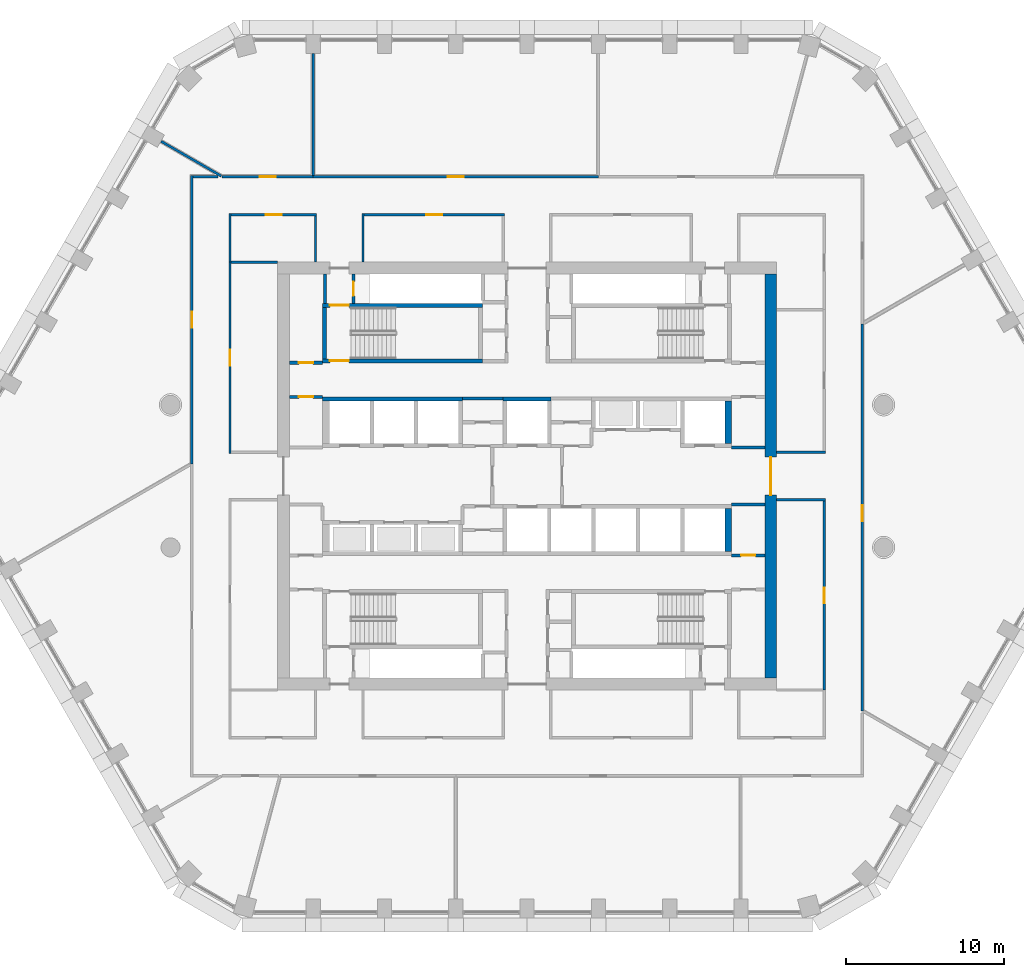
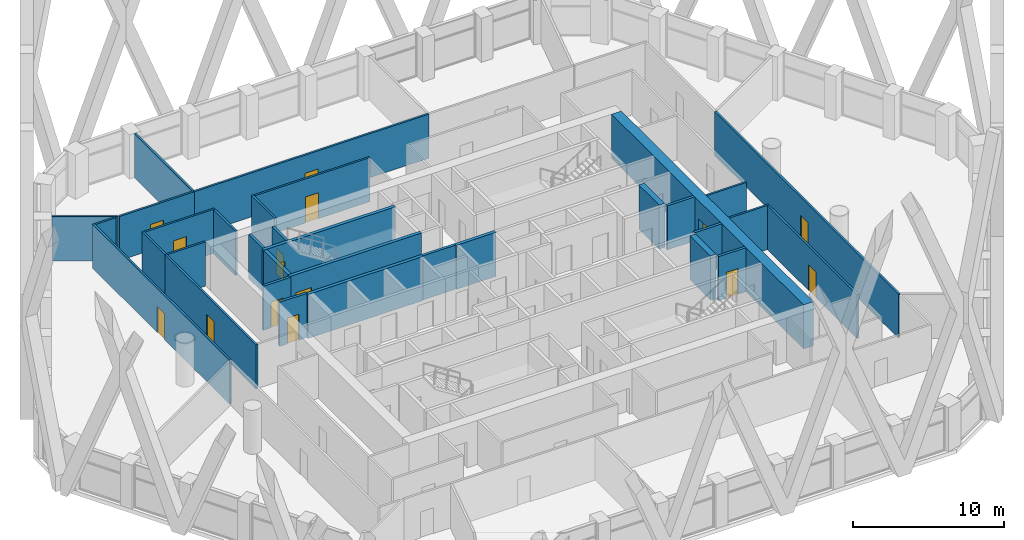
# One storey, part 12 of 24: 33 walls, 15 doors, 15 openings.
"""IFC4 building model written with IfcOpenShell, lengths in metres."""

from ifc_helpers import new_model, si_unit, direction, frame, frame_2d, origin, place, context, subcontext, project, spatial, polyline, rectangle, outline, extrude, material, layer, layer_set, type_object, element, fill, save


model = new_model("IFC4")

# Units and contexts
model_context = context("Model", 3, precision=1e-05, world=origin(), true_north=direction((0.0, 1.0)))
body_context = subcontext(model_context, "Body", "Model", "MODEL_VIEW")
ifc_project = project(units=[si_unit("LENGTHUNIT", "METRE"), si_unit("AREAUNIT", "SQUARE_METRE"), si_unit("VOLUMEUNIT", "CUBIC_METRE"), si_unit("PLANEANGLEUNIT", "RADIAN"), si_unit("MASSUNIT", "GRAM", prefix="KILO")], contexts=[model_context])

# Site, building, storey
site_placement = place(None, origin())
site = spatial("IfcSite", under=ifc_project, at=site_placement, CompositionType="ELEMENT")
building_placement = place(site_placement, origin())
building = spatial("IfcBuilding", under=site, at=building_placement, Name="Dhurran Vertical Campus", CompositionType="ELEMENT")
storey_placement = place(building_placement, frame((0.0, 0.0, 132.60009765625)))
storey = spatial("IfcBuildingStorey", under=building, at=storey_placement, Name="L32", CompositionType="ELEMENT", Elevation=132.60009765625)

# Wall, opening, door
ifc_material_1 = material(Name="Concrete C60/75", Category="concrete")
ifc_layer_1 = layer(ifc_material_1, 0.75)
ifc_layer_set_1 = layer_set([ifc_layer_1], Name="Concrete C60/75")
wall_type_1 = type_object("IfcWallType", Name="co-CORE-WALL-C1-750", PredefinedType="SHEAR", material=ifc_layer_set_1)
wall_1_placement = place(storey_placement, frame((15.375, -12.75, 0.0), z_axis=(0.0, 0.0, 1.0), x_axis=(0.0, 1.0, 0.0)))
wall_1 = element("IfcWall", 1, at=wall_1_placement, inside=storey, type_object=wall_type_1, Name="Core wall E L32", PredefinedType="SHEAR", context=body_context, shape_type="SweptSolid", body=[
    extrude(rectangle(XDim=25.5, YDim=0.75, at=frame_2d((12.75, 0.0))), origin(), (0.0, 0.0, 1.0), 3.574951171875),
])
opening_1_placement = place(wall_1_placement, frame((11.550048828125, 0.0, 0.0)))
opening_1 = element("IfcOpeningElement", 2, at=opening_1_placement, cuts=wall_1, Name="Opening CL2", PredefinedType="OPENING", context=body_context, shape_type="SweptSolid", body=[
    extrude(rectangle(XDim=2.39990234375, YDim=2.10009765625, at=frame_2d((1.199951171875, 1.050048828125))), frame((0.0, 0.385009765625, 0.0), z_axis=(0.0, -1.0, 0.0), x_axis=(1.0, 0.0, 0.0)), (0.0, 0.0, 1.0), 0.77001953125),
])
ifc_material_2 = material(Name="Fire-rated glazed door set")
door_type_1 = type_object("IfcDoorType", Name="co-D-LOBBY 2400x2100", OperationType="DOUBLE_DOOR_DOUBLE_SWING", PredefinedType="DOOR", material=ifc_material_2)
door_1_placement = place(opening_1_placement, origin())
door_1 = element("IfcDoor", 3, at=door_1_placement, inside=storey, type_object=door_type_1, Name="Lift lobby door E L32", OperationType="DOUBLE_DOOR_DOUBLE_SWING", OverallHeight=2.10009765625, OverallWidth=2.39990234375, PredefinedType="DOOR", context=body_context, shape_type="SweptSolid", body=[
    extrude(rectangle(XDim=2.39990234375, YDim=2.10009765625, at=frame_2d((1.199951171875, 1.050048828125))), frame((0.0, 0.02490234375, 0.0), z_axis=(0.0, -1.0, 0.0), x_axis=(1.0, 0.0, 0.0)), (0.0, 0.0, 1.0), 0.050048828125),
])
fill(opening_1, door_1)

# Wall
ifc_material_3 = material(Name="Fire-rated masonry blockwork", Category="masonry")
ifc_layer_2 = layer(ifc_material_3, 0.199951171875)
ifc_layer_set_2 = layer_set([ifc_layer_2], Name="Fire-rated masonry blockwork")
wall_type_2 = type_object("IfcWallType", Name="co-FIRE-PARTITION-200", PredefinedType="PARTITIONING", material=ifc_layer_set_2)
wall_2_placement = place(storey_placement, frame((-12.75, 10.89990234375, 0.0), z_axis=(0.0, 0.0, 1.0), x_axis=(0.0, 1.0, 0.0)))
element("IfcWall", 4, at=wall_2_placement, inside=storey, type_object=wall_type_2, Name="Core partition pass-ST1-o L32", PredefinedType="PARTITIONING", context=body_context, shape_type="SweptSolid", body=[
    extrude(rectangle(XDim=1.85009765625, YDim=0.199951171875, at=frame_2d((0.925048828125, 0.0))), origin(), (0.0, 0.0, 1.0), 3.574951171875),
])

# Wall, opening, door
wall_3_placement = place(storey_placement, frame((-10.949951171875, 10.89990234375, 0.0), z_axis=(0.0, 0.0, 1.0), x_axis=(0.0, 1.0, 0.0)))
wall_3 = element("IfcWall", 5, at=wall_3_placement, inside=storey, type_object=wall_type_2, Name="Core partition pass-ST1-i L32", PredefinedType="PARTITIONING", context=body_context, shape_type="SweptSolid", body=[
    extrude(rectangle(XDim=1.85009765625, YDim=0.199951171875, at=frame_2d((0.925048828125, 0.0))), origin(), (0.0, 0.0, 1.0), 3.574951171875),
])
opening_2_placement = place(wall_3_placement, frame((0.47509765625, 0.0, 0.0)))
opening_2 = element("IfcOpeningElement", 6, at=opening_2_placement, cuts=wall_3, Name="Opening T09-C11", PredefinedType="OPENING", context=body_context, shape_type="SweptSolid", body=[
    extrude(rectangle(XDim=0.89990234375, YDim=2.10009765625, at=frame_2d((0.449951171875, 1.050048828125))), frame((0.0, 0.10986328125, 0.0), z_axis=(0.0, -1.0, 0.0), x_axis=(1.0, 0.0, 0.0)), (0.0, 0.0, 1.0), 0.219970703125),
])
ifc_material_4 = material(Name="Fire-rated timber door set", Category="wood")
door_type_2 = type_object("IfcDoorType", Name="co-D-ROOM 900x2100", OperationType="SINGLE_SWING_LEFT", PredefinedType="DOOR", material=ifc_material_4)
door_2_placement = place(opening_2_placement, origin())
door_2 = element("IfcDoor", 7, at=door_2_placement, inside=storey, type_object=door_type_2, Name="Riser room door L32", OperationType="SINGLE_SWING_LEFT", OverallHeight=2.10009765625, OverallWidth=0.89990234375, PredefinedType="DOOR", context=body_context, shape_type="SweptSolid", body=[
    extrude(rectangle(XDim=0.89990234375, YDim=2.10009765625, at=frame_2d((0.449951171875, 1.050048828125))), frame((0.0, 0.02490234375, 0.0), z_axis=(0.0, -1.0, 0.0), x_axis=(1.0, 0.0, 0.0)), (0.0, 0.0, 1.0), 0.050048828125),
])
fill(opening_2, door_2)

wall_4_placement = place(storey_placement, frame((-15.0, 7.14990234375, 0.0), z_axis=(0.0, 0.0, 1.0), x_axis=(1.0, 0.0, 0.0)))
wall_4 = element("IfcWall", 8, at=wall_4_placement, inside=storey, type_object=wall_type_2, Name="Core partition en-NW-w L32", PredefinedType="PARTITIONING", context=body_context, shape_type="SweptSolid", body=[
    extrude(rectangle(XDim=2.10009765625, YDim=0.199951171875, at=frame_2d((1.050048828125, 0.0))), origin(), (0.0, 0.0, 1.0), 3.574951171875),
])
opening_3_placement = place(wall_4_placement, frame((0.60009765625, 0.0, 0.0)))
opening_3 = element("IfcOpeningElement", 9, at=opening_3_placement, cuts=wall_4, Name="Opening T09-C15", PredefinedType="OPENING", context=body_context, shape_type="SweptSolid", body=[
    extrude(rectangle(XDim=0.89990234375, YDim=2.10009765625, at=frame_2d((0.449951171875, 1.050048828125))), frame((0.0, 0.10986328125, 0.0), z_axis=(0.0, -1.0, 0.0), x_axis=(1.0, 0.0, 0.0)), (0.0, 0.0, 1.0), 0.219970703125),
])
door_3_placement = place(opening_3_placement, origin())
door_3 = element("IfcDoor", 10, at=door_3_placement, inside=storey, type_object=door_type_2, Name="Electrical riser door L32", OperationType="SINGLE_SWING_LEFT", OverallHeight=2.10009765625, OverallWidth=0.89990234375, PredefinedType="DOOR", context=body_context, shape_type="SweptSolid", body=[
    extrude(rectangle(XDim=0.89990234375, YDim=2.10009765625, at=frame_2d((0.449951171875, 1.050048828125))), frame((0.0, 0.02490234375, 0.0), z_axis=(0.0, -1.0, 0.0), x_axis=(1.0, 0.0, 0.0)), (0.0, 0.0, 1.0), 0.050048828125),
])
fill(opening_3, door_3)

wall_5_placement = place(storey_placement, frame((-15.0, 5.0, 0.0), z_axis=(0.0, 0.0, 1.0), x_axis=(1.0, 0.0, 0.0)))
wall_5 = element("IfcWall", 11, at=wall_5_placement, inside=storey, type_object=wall_type_2, Name="Core partition es-NW-w L32", PredefinedType="PARTITIONING", context=body_context, shape_type="SweptSolid", body=[
    extrude(rectangle(XDim=2.10009765625, YDim=0.199951171875, at=frame_2d((1.050048828125, 0.0))), origin(), (0.0, 0.0, 1.0), 3.574951171875),
])
opening_4_placement = place(wall_5_placement, frame((0.60009765625, 0.0, 0.0)))
opening_4 = element("IfcOpeningElement", 12, at=opening_4_placement, cuts=wall_5, Name="Opening T09-C16", PredefinedType="OPENING", context=body_context, shape_type="SweptSolid", body=[
    extrude(rectangle(XDim=0.89990234375, YDim=2.10009765625, at=frame_2d((0.449951171875, 1.050048828125))), frame((0.0, 0.10986328125, 0.0), z_axis=(0.0, -1.0, 0.0), x_axis=(1.0, 0.0, 0.0)), (0.0, 0.0, 1.0), 0.219970703125),
])
door_4_placement = place(opening_4_placement, origin())
door_4 = element("IfcDoor", 13, at=door_4_placement, inside=storey, type_object=door_type_2, Name="Print room door L32", OperationType="SINGLE_SWING_LEFT", OverallHeight=2.10009765625, OverallWidth=0.89990234375, PredefinedType="DOOR", context=body_context, shape_type="SweptSolid", body=[
    extrude(rectangle(XDim=0.89990234375, YDim=2.10009765625, at=frame_2d((0.449951171875, 1.050048828125))), frame((0.0, 0.02490234375, 0.0), z_axis=(0.0, -1.0, 0.0), x_axis=(1.0, 0.0, 0.0)), (0.0, 0.0, 1.0), 0.050048828125),
])
fill(opening_4, door_4)

# Wall
wall_6_placement = place(storey_placement, frame((12.89990234375, 1.800048828125, 0.0), z_axis=(0.0, 0.0, 1.0), x_axis=(1.0, 0.0, 0.0)))
element("IfcWall", 14, at=wall_6_placement, inside=storey, type_object=wall_type_2, Name="Core partition es-NE-l L32", PredefinedType="PARTITIONING", context=body_context, shape_type="SweptSolid", body=[
    extrude(rectangle(XDim=2.10009765625, YDim=0.199951171875, at=frame_2d((1.050048828125, 0.0))), origin(), (0.0, 0.0, 1.0), 3.574951171875),
])

# Wall, opening, door
wall_7_placement = place(storey_placement, frame((12.89990234375, -5.0, 0.0), z_axis=(0.0, 0.0, 1.0), x_axis=(1.0, 0.0, 0.0)))
wall_7 = element("IfcWall", 15, at=wall_7_placement, inside=storey, type_object=wall_type_2, Name="Core partition es-SE-w L32", PredefinedType="PARTITIONING", context=body_context, shape_type="SweptSolid", body=[
    extrude(rectangle(XDim=2.10009765625, YDim=0.199951171875, at=frame_2d((1.050048828125, 0.0))), origin(), (0.0, 0.0, 1.0), 3.574951171875),
])
opening_5_placement = place(wall_7_placement, frame((0.60009765625, 0.0, 0.0)))
opening_5 = element("IfcOpeningElement", 16, at=opening_5_placement, cuts=wall_7, Name="Opening T09-C22", PredefinedType="OPENING", context=body_context, shape_type="SweptSolid", body=[
    extrude(rectangle(XDim=0.89990234375, YDim=2.10009765625, at=frame_2d((0.449951171875, 1.050048828125))), frame((0.0, 0.10986328125, 0.0), z_axis=(0.0, -1.0, 0.0), x_axis=(1.0, 0.0, 0.0)), (0.0, 0.0, 1.0), 0.219970703125),
])
door_5_placement = place(opening_5_placement, origin())
door_5 = element("IfcDoor", 17, at=door_5_placement, inside=storey, type_object=door_type_2, Name="Pantry door L32", OperationType="SINGLE_SWING_LEFT", OverallHeight=2.10009765625, OverallWidth=0.89990234375, PredefinedType="DOOR", context=body_context, shape_type="SweptSolid", body=[
    extrude(rectangle(XDim=0.89990234375, YDim=2.10009765625, at=frame_2d((0.449951171875, 1.050048828125))), frame((0.0, 0.02490234375, 0.0), z_axis=(0.0, -1.0, 0.0), x_axis=(1.0, 0.0, 0.0)), (0.0, 0.0, 1.0), 0.050048828125),
])
fill(opening_5, door_5)

# Walls
wall_8_placement = place(storey_placement, frame((12.89990234375, -1.800048828125, 0.0), z_axis=(0.0, 0.0, 1.0), x_axis=(1.0, 0.0, 0.0)))
element("IfcWall", 18, at=wall_8_placement, inside=storey, type_object=wall_type_2, Name="Core partition es-SE-l L32", PredefinedType="PARTITIONING", context=body_context, shape_type="SweptSolid", body=[
    extrude(rectangle(XDim=2.10009765625, YDim=0.199951171875, at=frame_2d((1.050048828125, 0.0))), origin(), (0.0, 0.0, 1.0), 3.574951171875),
])
wall_9_placement = place(storey_placement, frame((-4.074951171875, 4.89990234375, 0.0), z_axis=(0.0, 0.0, 1.0), x_axis=(1.0, 0.0, 0.0)))
element("IfcWall", 19, at=wall_9_placement, inside=storey, type_object=wall_type_2, Name="Core partition fr-N0-b L32", PredefinedType="PARTITIONING", context=body_context, shape_type="SweptSolid", body=[
    extrude(rectangle(XDim=2.550048828125, YDim=0.199951171875, at=frame_2d((1.27490234375, 0.0))), origin(), (0.0, 0.0, 1.0), 3.574951171875),
])
ifc_material_5 = material(Name="Concrete C50/60", Category="concrete")
ifc_layer_3 = layer(ifc_material_5, 0.25)
ifc_layer_set_3 = layer_set([ifc_layer_3], Name="Concrete C50/60")
wall_type_3 = type_object("IfcWallType", Name="co-SHAFT-MASS-250", PredefinedType="SHEAR", material=ifc_layer_set_3)
wall_10_placement = place(storey_placement, origin())
element("IfcWall", 20, at=wall_10_placement, inside=storey, type_object=wall_type_3, Name="Lift shaft wall N L32 1", PredefinedType="SHEAR", context=body_context, shape_type="SweptSolid", body=[
    extrude(outline(polyline([(-12.89990234375, 4.75), (-4.074951171875, 4.75), (-4.074951171875, 5.0), (-12.89990234375, 5.0), (-12.89990234375, 4.75)])), origin(), (0.0, 0.0, 1.0), 3.574951171875),
])
wall_11_placement = place(storey_placement, origin())
element("IfcWall", 21, at=wall_11_placement, inside=storey, type_object=wall_type_3, Name="Lift shaft wall N L32 2", PredefinedType="SHEAR", context=body_context, shape_type="SweptSolid", body=[
    extrude(outline(polyline([(-1.52490234375, 4.75), (1.52490234375, 4.75), (1.52490234375, 5.0), (-1.52490234375, 5.0), (-1.52490234375, 4.75)])), origin(), (0.0, 0.0, 1.0), 3.574951171875),
])
wall_12_placement = place(storey_placement, origin())
element("IfcWall", 22, at=wall_12_placement, inside=storey, type_object=wall_type_3, Name="Lift shaft wall N L32 11", PredefinedType="SHEAR", context=body_context, shape_type="SweptSolid", body=[
    extrude(outline(polyline([(12.47509765625, 2.050048828125), (12.89990234375, 2.050048828125), (12.89990234375, 4.75), (12.47509765625, 4.75), (12.47509765625, 2.050048828125)])), origin(), (0.0, 0.0, 1.0), 3.574951171875),
])
wall_13_placement = place(storey_placement, origin())
element("IfcWall", 23, at=wall_13_placement, inside=storey, type_object=wall_type_3, Name="Lift shaft wall S L32 12", PredefinedType="SHEAR", context=body_context, shape_type="SweptSolid", body=[
    extrude(outline(polyline([(12.47509765625, -4.75), (12.89990234375, -4.75), (12.89990234375, -2.050048828125), (12.47509765625, -2.050048828125), (12.47509765625, -4.75)])), origin(), (0.0, 0.0, 1.0), 3.574951171875),
])

# Wall, opening, door
ifc_material_6 = material(Name="Concrete C40/50", Category="concrete")
ifc_layer_4 = layer(ifc_material_6, 0.25)
ifc_layer_set_4 = layer_set([ifc_layer_4], Name="Concrete C40/50")
wall_type_4 = type_object("IfcWallType", Name="co-STAIR-WALL-250", PredefinedType="SHEAR", material=ifc_layer_set_4)
wall_14_placement = place(storey_placement, frame((-12.89990234375, 7.27490234375, 0.0), z_axis=(0.0, 0.0, 1.0), x_axis=(1.0, 0.0, 0.0)))
wall_14 = element("IfcWall", 24, at=wall_14_placement, inside=storey, type_object=wall_type_4, Name="Stair ST1 enclosure wall L32", PredefinedType="SHEAR", context=body_context, shape_type="SweptSolid", body=[
    extrude(rectangle(XDim=10.099853515625, YDim=0.25, at=frame_2d((5.0498046875, 0.0))), origin(), (0.0, 0.0, 1.0), 3.574951171875),
])
opening_6_placement = place(wall_14_placement, frame((0.449951171875, 0.0, 0.0)))
opening_6 = element("IfcOpeningElement", 25, at=opening_6_placement, cuts=wall_14, Name="Opening SD1", PredefinedType="OPENING", context=body_context, shape_type="SweptSolid", body=[
    extrude(rectangle(XDim=1.199951171875, YDim=2.10009765625, at=frame_2d((0.60009765625, 1.050048828125))), frame((0.0, 0.135009765625, 0.0), z_axis=(0.0, -1.0, 0.0), x_axis=(1.0, 0.0, 0.0)), (0.0, 0.0, 1.0), 0.27001953125),
])
ifc_material_7 = material(Name="Fire-rated steel door set", Category="steel")
door_type_3 = type_object("IfcDoorType", Name="co-D-STAIR 1200x2100", OperationType="SINGLE_SWING_LEFT", PredefinedType="DOOR", material=ifc_material_7)
door_6_placement = place(opening_6_placement, origin())
door_6 = element("IfcDoor", 26, at=door_6_placement, inside=storey, type_object=door_type_3, Name="Stair ST1 door L32", OperationType="SINGLE_SWING_LEFT", OverallHeight=2.10009765625, OverallWidth=1.199951171875, PredefinedType="DOOR", context=body_context, shape_type="SweptSolid", body=[
    extrude(rectangle(XDim=1.199951171875, YDim=2.10009765625, at=frame_2d((0.60009765625, 1.050048828125))), frame((0.0, 0.02490234375, 0.0), z_axis=(0.0, -1.0, 0.0), x_axis=(1.0, 0.0, 0.0)), (0.0, 0.0, 1.0), 0.050048828125),
])
fill(opening_6, door_6)

wall_15_placement = place(storey_placement, frame((-12.89990234375, 10.77490234375, 0.0), z_axis=(0.0, 0.0, 1.0), x_axis=(1.0, 0.0, 0.0)))
wall_15 = element("IfcWall", 27, at=wall_15_placement, inside=storey, type_object=wall_type_4, Name="Stair ST1 enclosure wall L32", PredefinedType="SHEAR", context=body_context, shape_type="SweptSolid", body=[
    extrude(rectangle(XDim=10.099853515625, YDim=0.25, at=frame_2d((5.0498046875, 0.0))), origin(), (0.0, 0.0, 1.0), 3.574951171875),
])
opening_7_placement = place(wall_15_placement, frame((0.449951171875, 0.0, 0.0)))
opening_7 = element("IfcOpeningElement", 28, at=opening_7_placement, cuts=wall_15, Name="Opening XS1", PredefinedType="OPENING", context=body_context, shape_type="SweptSolid", body=[
    extrude(rectangle(XDim=1.199951171875, YDim=2.10009765625, at=frame_2d((0.60009765625, 1.050048828125))), frame((0.0, 0.135009765625, 0.0), z_axis=(0.0, -1.0, 0.0), x_axis=(1.0, 0.0, 0.0)), (0.0, 0.0, 1.0), 0.27001953125),
])
ifc_material_8 = material(Name="Fire-rated steel door set", Category="steel")
door_type_4 = type_object("IfcDoorType", Name="co-D-STAIR-EXIT 1200x2100", OperationType="SINGLE_SWING_RIGHT", PredefinedType="DOOR", material=ifc_material_8)
door_7_placement = place(opening_7_placement, origin())
door_7 = element("IfcDoor", 29, at=door_7_placement, inside=storey, type_object=door_type_4, Name="Stair ST1 discharge door L32", OperationType="SINGLE_SWING_RIGHT", OverallHeight=2.10009765625, OverallWidth=1.199951171875, PredefinedType="DOOR", context=body_context, shape_type="SweptSolid", body=[
    extrude(rectangle(XDim=1.199951171875, YDim=2.10009765625, at=frame_2d((0.60009765625, 1.050048828125))), frame((0.0, 0.02490234375, 0.0), z_axis=(0.0, -1.0, 0.0), x_axis=(1.0, 0.0, 0.0)), (0.0, 0.0, 1.0), 0.050048828125),
])
fill(opening_7, door_7)

# Wall
wall_16_placement = place(storey_placement, frame((-12.77490234375, 7.39990234375, 0.0), z_axis=(0.0, 0.0, 1.0), x_axis=(0.0, 1.0, 0.0)))
element("IfcWall", 30, at=wall_16_placement, inside=storey, type_object=wall_type_4, Name="Stair ST1 enclosure wall L32", PredefinedType="SHEAR", context=body_context, shape_type="SweptSolid", body=[
    extrude(rectangle(XDim=3.25, YDim=0.25, at=frame_2d((1.625, 0.0))), origin(), (0.0, 0.0, 1.0), 3.574951171875),
])

# Wall, opening, door
ifc_material_9 = material(Name="Gypsum board corridor wall on steel studs", Category="steel")
ifc_layer_5 = layer(ifc_material_9, 0.14990234375)
ifc_layer_set_5 = layer_set([ifc_layer_5], Name="Gypsum board corridor wall on steel studs")
wall_type_5 = type_object("IfcWallType", Name="fl-CW-150 corridor wall", PredefinedType="PARTITIONING", material=ifc_layer_set_5)
wall_17_placement = place(storey_placement, frame((-21.14990234375, 18.97509765625, 0.0), z_axis=(0.0, 0.0, 1.0), x_axis=(0.0, -1.0, 0.0)))
wall_17 = element("IfcWall", 31, at=wall_17_placement, inside=storey, type_object=wall_type_5, Name="Partition 32-06", PredefinedType="PARTITIONING", context=body_context, shape_type="SweptSolid", body=[
    extrude(rectangle(XDim=18.196044921875, YDim=0.14990234375, at=frame_2d((9.09814453125, 0.0))), origin(), (0.0, 0.0, 1.0), 3.574951171875),
])
opening_8_placement = place(wall_17_placement, frame((8.597900390625, 0.0, 0.0)))
opening_8 = element("IfcOpeningElement", 32, at=opening_8_placement, cuts=wall_17, Name="Opening T09.01", PredefinedType="OPENING", context=body_context, shape_type="SweptSolid", body=[
    extrude(rectangle(XDim=1.0, YDim=2.10009765625, at=frame_2d((0.5, 1.050048828125))), frame((0.0, 0.0849609375, 0.0), z_axis=(0.0, -1.0, 0.0), x_axis=(1.0, 0.0, 0.0)), (0.0, 0.0, 1.0), 0.169921875),
])
ifc_material_10 = material(Name="Solid-core timber door set, fire-rated", Category="wood")
door_type_5 = type_object("IfcDoorType", Name="fl-D-1000x2100", OperationType="SINGLE_SWING_LEFT", PredefinedType="DOOR", material=ifc_material_10)
door_8_placement = place(opening_8_placement, origin())
door_8 = element("IfcDoor", 33, at=door_8_placement, inside=storey, type_object=door_type_5, Name="Door 32.01", OperationType="SINGLE_SWING_LEFT", OverallHeight=2.10009765625, OverallWidth=1.0, PredefinedType="DOOR", context=body_context, shape_type="SweptSolid", body=[
    extrude(rectangle(XDim=1.0, YDim=2.10009765625, at=frame_2d((0.5, 1.050048828125))), frame((0.0, 0.02490234375, 0.0), z_axis=(0.0, -1.0, 0.0), x_axis=(1.0, 0.0, 0.0)), (0.0, 0.0, 1.0), 0.050048828125),
])
fill(opening_8, door_8)

# Wall
wall_18_placement = place(storey_placement, frame((-19.510986328125, 18.89990234375, 0.0), z_axis=(0.0, 0.0, 1.0), x_axis=(-1.0, 0.0, 0.0)))
element("IfcWall", 34, at=wall_18_placement, inside=storey, type_object=wall_type_5, Name="Partition 32-07", PredefinedType="PARTITIONING", context=body_context, shape_type="SweptSolid", body=[
    extrude(rectangle(XDim=1.56396484375, YDim=0.14990234375, at=frame_2d((0.781982421875, 0.0))), origin(), (0.0, 0.0, 1.0), 3.574951171875),
])

# Wall, opening, door
wall_19_placement = place(storey_placement, frame((-13.5, 18.89990234375, 0.0), z_axis=(0.0, 0.0, 1.0), x_axis=(-1.0, 0.0, 0.0)))
wall_19 = element("IfcWall", 35, at=wall_19_placement, inside=storey, type_object=wall_type_5, Name="Partition 32-09", PredefinedType="PARTITIONING", context=body_context, shape_type="SweptSolid", body=[
    extrude(rectangle(XDim=5.736083984375, YDim=0.14990234375, at=frame_2d((2.8681640625, 0.0))), origin(), (0.0, 0.0, 1.0), 3.574951171875),
])
opening_9_placement = place(wall_19_placement, frame((2.367919921875, 0.0, 0.0)))
opening_9 = element("IfcOpeningElement", 36, at=opening_9_placement, cuts=wall_19, Name="Opening T09.04", PredefinedType="OPENING", context=body_context, shape_type="SweptSolid", body=[
    extrude(rectangle(XDim=1.0, YDim=2.10009765625, at=frame_2d((0.5, 1.050048828125))), frame((0.0, 0.0849609375, 0.0), z_axis=(0.0, -1.0, 0.0), x_axis=(1.0, 0.0, 0.0)), (0.0, 0.0, 1.0), 0.169921875),
])
door_9_placement = place(opening_9_placement, origin())
door_9 = element("IfcDoor", 37, at=door_9_placement, inside=storey, type_object=door_type_5, Name="Door 32.04", OperationType="SINGLE_SWING_RIGHT", OverallHeight=2.10009765625, OverallWidth=1.0, PredefinedType="DOOR", context=body_context, shape_type="SweptSolid", body=[
    extrude(rectangle(XDim=1.0, YDim=2.10009765625, at=frame_2d((0.5, 1.050048828125))), frame((0.0, 0.02490234375, 0.0), z_axis=(0.0, -1.0, 0.0), x_axis=(1.0, 0.0, 0.0)), (0.0, 0.0, 1.0), 0.050048828125),
])
fill(opening_9, door_9)

wall_20_placement = place(storey_placement, frame((-18.75, 1.425048828125, 0.0), z_axis=(0.0, 0.0, 1.0), x_axis=(0.0, 1.0, 0.0)))
wall_20 = element("IfcWall", 38, at=wall_20_placement, inside=storey, type_object=wall_type_5, Name="Partition 32-15", PredefinedType="PARTITIONING", context=body_context, shape_type="SweptSolid", body=[
    extrude(rectangle(XDim=12.074951171875, YDim=0.14990234375, at=frame_2d((6.03759765625, 0.0))), origin(), (0.0, 0.0, 1.0), 3.574951171875),
])
opening_10_placement = place(wall_20_placement, frame((5.53759765625, 0.0, 0.0)))
opening_10 = element("IfcOpeningElement", 39, at=opening_10_placement, cuts=wall_20, Name="Opening T09.06", PredefinedType="OPENING", context=body_context, shape_type="SweptSolid", body=[
    extrude(rectangle(XDim=1.0, YDim=2.10009765625, at=frame_2d((0.5, 1.050048828125))), frame((0.0, 0.0849609375, 0.0), z_axis=(0.0, -1.0, 0.0), x_axis=(1.0, 0.0, 0.0)), (0.0, 0.0, 1.0), 0.169921875),
])
door_10_placement = place(opening_10_placement, origin())
door_10 = element("IfcDoor", 40, at=door_10_placement, inside=storey, type_object=door_type_5, Name="Door 32.06", OperationType="SINGLE_SWING_LEFT", OverallHeight=2.10009765625, OverallWidth=1.0, PredefinedType="DOOR", context=body_context, shape_type="SweptSolid", body=[
    extrude(rectangle(XDim=1.0, YDim=2.10009765625, at=frame_2d((0.5, 1.050048828125))), frame((0.0, 0.02490234375, 0.0), z_axis=(0.0, -1.0, 0.0), x_axis=(1.0, 0.0, 0.0)), (0.0, 0.0, 1.0), 0.050048828125),
])
fill(opening_10, door_10)

# Wall
wall_21_placement = place(storey_placement, frame((-18.75, 13.5, 0.0), z_axis=(0.0, 0.0, 1.0), x_axis=(0.0, 1.0, 0.0)))
element("IfcWall", 41, at=wall_21_placement, inside=storey, type_object=wall_type_5, Name="Partition 32-17", PredefinedType="PARTITIONING", context=body_context, shape_type="SweptSolid", body=[
    extrude(rectangle(XDim=3.074951171875, YDim=0.14990234375, at=frame_2d((1.53759765625, 0.0))), origin(), (0.0, 0.0, 1.0), 3.574951171875),
])

# Wall, opening, door
wall_22_placement = place(storey_placement, frame((-18.675048828125, 16.5, 0.0), z_axis=(0.0, 0.0, 1.0), x_axis=(1.0, 0.0, 0.0)))
wall_22 = element("IfcWall", 42, at=wall_22_placement, inside=storey, type_object=wall_type_5, Name="Partition 32-19", PredefinedType="PARTITIONING", context=body_context, shape_type="SweptSolid", body=[
    extrude(rectangle(XDim=5.400146484375, YDim=0.14990234375, at=frame_2d((2.7001953125, 0.0))), origin(), (0.0, 0.0, 1.0), 3.574951171875),
])
opening_11_placement = place(wall_22_placement, frame((2.199951171875, 0.0, 0.0)))
opening_11 = element("IfcOpeningElement", 43, at=opening_11_placement, cuts=wall_22, Name="Opening T09.08", PredefinedType="OPENING", context=body_context, shape_type="SweptSolid", body=[
    extrude(rectangle(XDim=1.0, YDim=2.10009765625, at=frame_2d((0.5, 1.050048828125))), frame((0.0, 0.0849609375, 0.0), z_axis=(0.0, -1.0, 0.0), x_axis=(1.0, 0.0, 0.0)), (0.0, 0.0, 1.0), 0.169921875),
])
door_11_placement = place(opening_11_placement, origin())
door_11 = element("IfcDoor", 44, at=door_11_placement, inside=storey, type_object=door_type_5, Name="Door 32.08", OperationType="SINGLE_SWING_LEFT", OverallHeight=2.10009765625, OverallWidth=1.0, PredefinedType="DOOR", context=body_context, shape_type="SweptSolid", body=[
    extrude(rectangle(XDim=1.0, YDim=2.10009765625, at=frame_2d((0.5, 1.050048828125))), frame((0.0, 0.02490234375, 0.0), z_axis=(0.0, -1.0, 0.0), x_axis=(1.0, 0.0, 0.0)), (0.0, 0.0, 1.0), 0.050048828125),
])
fill(opening_11, door_11)

wall_23_placement = place(storey_placement, frame((4.5, 18.89990234375, 0.0), z_axis=(0.0, 0.0, 1.0), x_axis=(-1.0, 0.0, 0.0)))
wall_23 = element("IfcWall", 45, at=wall_23_placement, inside=storey, type_object=wall_type_5, Name="Partition 32-23", PredefinedType="PARTITIONING", context=body_context, shape_type="SweptSolid", body=[
    extrude(rectangle(XDim=18.0, YDim=0.14990234375, at=frame_2d((9.0, 0.0))), origin(), (0.0, 0.0, 1.0), 3.574951171875),
])
opening_12_placement = place(wall_23_placement, frame((8.5, 0.0, 0.0)))
opening_12 = element("IfcOpeningElement", 46, at=opening_12_placement, cuts=wall_23, Name="Opening T09.12", PredefinedType="OPENING", context=body_context, shape_type="SweptSolid", body=[
    extrude(rectangle(XDim=1.0, YDim=2.10009765625, at=frame_2d((0.5, 1.050048828125))), frame((0.0, 0.0849609375, 0.0), z_axis=(0.0, -1.0, 0.0), x_axis=(1.0, 0.0, 0.0)), (0.0, 0.0, 1.0), 0.169921875),
])
door_12_placement = place(opening_12_placement, origin())
door_12 = element("IfcDoor", 47, at=door_12_placement, inside=storey, type_object=door_type_5, Name="Door 32.12", OperationType="SINGLE_SWING_RIGHT", OverallHeight=2.10009765625, OverallWidth=1.0, PredefinedType="DOOR", context=body_context, shape_type="SweptSolid", body=[
    extrude(rectangle(XDim=1.0, YDim=2.10009765625, at=frame_2d((0.5, 1.050048828125))), frame((0.0, 0.02490234375, 0.0), z_axis=(0.0, -1.0, 0.0), x_axis=(1.0, 0.0, 0.0)), (0.0, 0.0, 1.0), 0.050048828125),
])
fill(opening_12, door_12)

# Walls
wall_24_placement = place(storey_placement, frame((-13.35009765625, 16.425048828125, 0.0), z_axis=(0.0, 0.0, 1.0), x_axis=(0.0, -1.0, 0.0)))
element("IfcWall", 48, at=wall_24_placement, inside=storey, type_object=wall_type_5, Name="Partition 32-25", PredefinedType="PARTITIONING", context=body_context, shape_type="SweptSolid", body=[
    extrude(rectangle(XDim=2.925048828125, YDim=0.14990234375, at=frame_2d((1.46240234375, 0.0))), origin(), (0.0, 0.0, 1.0), 3.574951171875),
])
wall_25_placement = place(storey_placement, frame((-10.35009765625, 13.5, 0.0), z_axis=(0.0, 0.0, 1.0), x_axis=(0.0, 1.0, 0.0)))
element("IfcWall", 49, at=wall_25_placement, inside=storey, type_object=wall_type_5, Name="Partition 32-28", PredefinedType="PARTITIONING", context=body_context, shape_type="SweptSolid", body=[
    extrude(rectangle(XDim=3.074951171875, YDim=0.14990234375, at=frame_2d((1.53759765625, 0.0))), origin(), (0.0, 0.0, 1.0), 3.574951171875),
])

# Wall, opening, door
wall_26_placement = place(storey_placement, frame((-10.27490234375, 16.5, 0.0), z_axis=(0.0, 0.0, 1.0), x_axis=(1.0, 0.0, 0.0)))
wall_26 = element("IfcWall", 50, at=wall_26_placement, inside=storey, type_object=wall_type_5, Name="Partition 32-29", PredefinedType="PARTITIONING", context=body_context, shape_type="SweptSolid", body=[
    extrude(rectangle(XDim=8.849853515625, YDim=0.14990234375, at=frame_2d((4.4248046875, 0.0))), origin(), (0.0, 0.0, 1.0), 3.574951171875),
])
opening_13_placement = place(wall_26_placement, frame((3.925048828125, 0.0, 0.0)))
opening_13 = element("IfcOpeningElement", 51, at=opening_13_placement, cuts=wall_26, Name="Opening T09.11", PredefinedType="OPENING", context=body_context, shape_type="SweptSolid", body=[
    extrude(rectangle(XDim=1.0, YDim=2.10009765625, at=frame_2d((0.5, 1.050048828125))), frame((0.0, 0.0849609375, 0.0), z_axis=(0.0, -1.0, 0.0), x_axis=(1.0, 0.0, 0.0)), (0.0, 0.0, 1.0), 0.169921875),
])
door_13_placement = place(opening_13_placement, origin())
door_13 = element("IfcDoor", 52, at=door_13_placement, inside=storey, type_object=door_type_5, Name="Door 32.11", OperationType="SINGLE_SWING_LEFT", OverallHeight=2.10009765625, OverallWidth=1.0, PredefinedType="DOOR", context=body_context, shape_type="SweptSolid", body=[
    extrude(rectangle(XDim=1.0, YDim=2.10009765625, at=frame_2d((0.5, 1.050048828125))), frame((0.0, 0.02490234375, 0.0), z_axis=(0.0, -1.0, 0.0), x_axis=(1.0, 0.0, 0.0)), (0.0, 0.0, 1.0), 0.050048828125),
])
fill(opening_13, door_13)

# Walls
for number, where, z_axis, x_axis, name in (
    (53, (15.75, -1.5, 0.0), (0.0, 0.0, 1.0), (1.0, 0.0, 0.0), "Partition 32-51"),
    (54, (18.824951171875, 1.5, 0.0), (0.0, 0.0, 1.0), (-1.0, 0.0, 0.0), "Partition 32-52"),
):
    element("IfcWall", number, at=place(storey_placement, frame(where, z_axis=z_axis, x_axis=x_axis)), inside=storey, type_object=wall_type_5, Name=name, PredefinedType="PARTITIONING", context=body_context, shape_type="SweptSolid", body=[
        extrude(rectangle(XDim=3.074951171875, YDim=0.14990234375, at=frame_2d((1.53759765625, 0.0))), origin(), (0.0, 0.0, 1.0), 3.574951171875),
    ])

# Wall, opening, door
wall_27_placement = place(storey_placement, frame((18.75, -1.574951171875, 0.0), z_axis=(0.0, 0.0, 1.0), x_axis=(0.0, -1.0, 0.0)))
wall_27 = element("IfcWall", 55, at=wall_27_placement, inside=storey, type_object=wall_type_5, Name="Partition 32-55", PredefinedType="PARTITIONING", context=body_context, shape_type="SweptSolid", body=[
    extrude(rectangle(XDim=11.925048828125, YDim=0.14990234375, at=frame_2d((5.96240234375, 0.0))), origin(), (0.0, 0.0, 1.0), 3.574951171875),
])
opening_14_placement = place(wall_27_placement, frame((5.46240234375, 0.0, 0.0)))
opening_14 = element("IfcOpeningElement", 56, at=opening_14_placement, cuts=wall_27, Name="Opening T09.19", PredefinedType="OPENING", context=body_context, shape_type="SweptSolid", body=[
    extrude(rectangle(XDim=1.0, YDim=2.10009765625, at=frame_2d((0.5, 1.050048828125))), frame((0.0, 0.0849609375, 0.0), z_axis=(0.0, -1.0, 0.0), x_axis=(1.0, 0.0, 0.0)), (0.0, 0.0, 1.0), 0.169921875),
])
door_14_placement = place(opening_14_placement, origin())
door_14 = element("IfcDoor", 57, at=door_14_placement, inside=storey, type_object=door_type_5, Name="Door 32.19", OperationType="SINGLE_SWING_RIGHT", OverallHeight=2.10009765625, OverallWidth=1.0, PredefinedType="DOOR", context=body_context, shape_type="SweptSolid", body=[
    extrude(rectangle(XDim=1.0, YDim=2.10009765625, at=frame_2d((0.5, 1.050048828125))), frame((0.0, 0.02490234375, 0.0), z_axis=(0.0, -1.0, 0.0), x_axis=(1.0, 0.0, 0.0)), (0.0, 0.0, 1.0), 0.050048828125),
])
fill(opening_14, door_14)

wall_28_placement = place(storey_placement, frame((21.14990234375, -14.80908203125, 0.0), z_axis=(0.0, 0.0, 1.0), x_axis=(0.0, 1.0, 0.0)))
wall_28 = element("IfcWall", 58, at=wall_28_placement, inside=storey, type_object=wall_type_5, Name="Partition 32-59", PredefinedType="PARTITIONING", context=body_context, shape_type="SweptSolid", body=[
    extrude(rectangle(XDim=24.422119140625, YDim=0.14990234375, at=frame_2d((12.2109375, 0.0))), origin(), (0.0, 0.0, 1.0), 3.574951171875),
])
opening_15_placement = place(wall_28_placement, frame((11.9609375, 0.0, 0.0)))
opening_15 = element("IfcOpeningElement", 59, at=opening_15_placement, cuts=wall_28, Name="Opening T09.23", PredefinedType="OPENING", context=body_context, shape_type="SweptSolid", body=[
    extrude(rectangle(XDim=1.0, YDim=2.10009765625, at=frame_2d((0.5, 1.050048828125))), frame((0.0, 0.0849609375, 0.0), z_axis=(0.0, -1.0, 0.0), x_axis=(1.0, 0.0, 0.0)), (0.0, 0.0, 1.0), 0.169921875),
])
door_15_placement = place(opening_15_placement, origin())
door_15 = element("IfcDoor", 60, at=door_15_placement, inside=storey, type_object=door_type_5, Name="Door 32.23", OperationType="SINGLE_SWING_LEFT", OverallHeight=2.10009765625, OverallWidth=1.0, PredefinedType="DOOR", context=body_context, shape_type="SweptSolid", body=[
    extrude(rectangle(XDim=1.0, YDim=2.10009765625, at=frame_2d((0.5, 1.050048828125))), frame((0.0, 0.02490234375, 0.0), z_axis=(0.0, -1.0, 0.0), x_axis=(1.0, 0.0, 0.0)), (0.0, 0.0, 1.0), 0.050048828125),
])
fill(opening_15, door_15)

# Walls
ifc_material_11 = material(Name="Gypsum board partition on steel studs", Category="steel")
ifc_layer_6 = layer(ifc_material_11, 0.14990234375)
ifc_layer_set_6 = layer_set([ifc_layer_6], Name="Gypsum board partition on steel studs")
wall_type_6 = type_object("IfcWallType", Name="fl-PW-150 fixed partition", PredefinedType="PARTITIONING", material=ifc_layer_set_6)
wall_29_placement = place(storey_placement, frame((-23.09033203125, 21.1259765625, 0.0), z_axis=(0.0, 0.0, 1.0), x_axis=(0.865968165673, -0.500099126214, 0.0)))
element("IfcWall", 61, at=wall_29_placement, inside=storey, type_object=wall_type_6, Name="Partition 32-03", PredefinedType="PARTITIONING", context=body_context, shape_type="SweptSolid", body=[
    extrude(rectangle(XDim=4.3759765625, YDim=0.14990234375, at=frame_2d((2.18798828125, 0.0))), origin(), (0.0, 0.0, 1.0), 3.574951171875),
])
wall_30_placement = place(storey_placement, frame((-18.675048828125, 13.5, 0.0), z_axis=(0.0, 0.0, 1.0), x_axis=(1.0, 0.0, 0.0)))
element("IfcWall", 62, at=wall_30_placement, inside=storey, type_object=wall_type_6, Name="Partition 32-18", PredefinedType="PARTITIONING", context=body_context, shape_type="SweptSolid", body=[
    extrude(rectangle(XDim=2.925048828125, YDim=0.14990234375, at=frame_2d((1.46240234375, 0.0))), origin(), (0.0, 0.0, 1.0), 3.574951171875),
])
wall_31_placement = place(storey_placement, frame((-13.5, 26.66259765625, 0.0), z_axis=(0.0, 0.0, 1.0), x_axis=(0.0, -1.0, 0.0)))
element("IfcWall", 63, at=wall_31_placement, inside=storey, type_object=wall_type_6, Name="Partition 32-22", PredefinedType="PARTITIONING", context=body_context, shape_type="SweptSolid", body=[
    extrude(rectangle(XDim=7.6875, YDim=0.14990234375, at=frame_2d((3.84375, 0.0))), origin(), (0.0, 0.0, 1.0), 3.574951171875),
])

save(model, "model.ifc")
